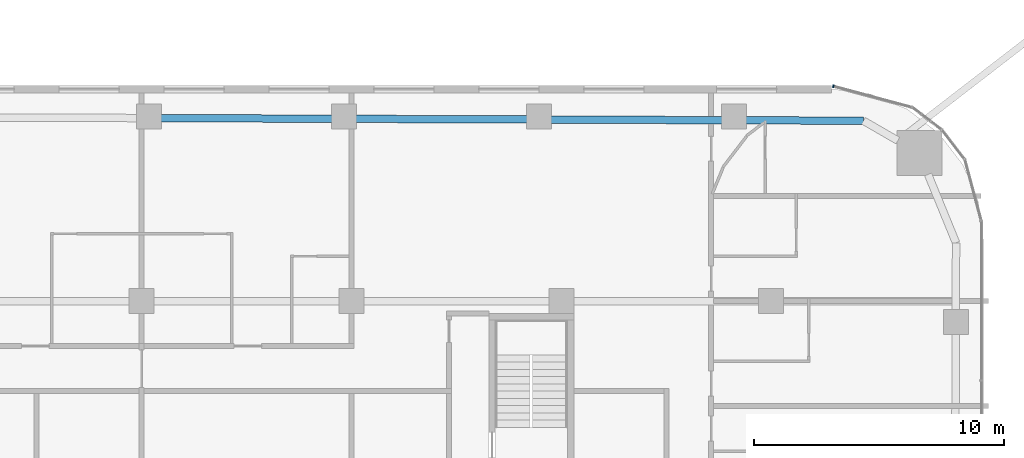
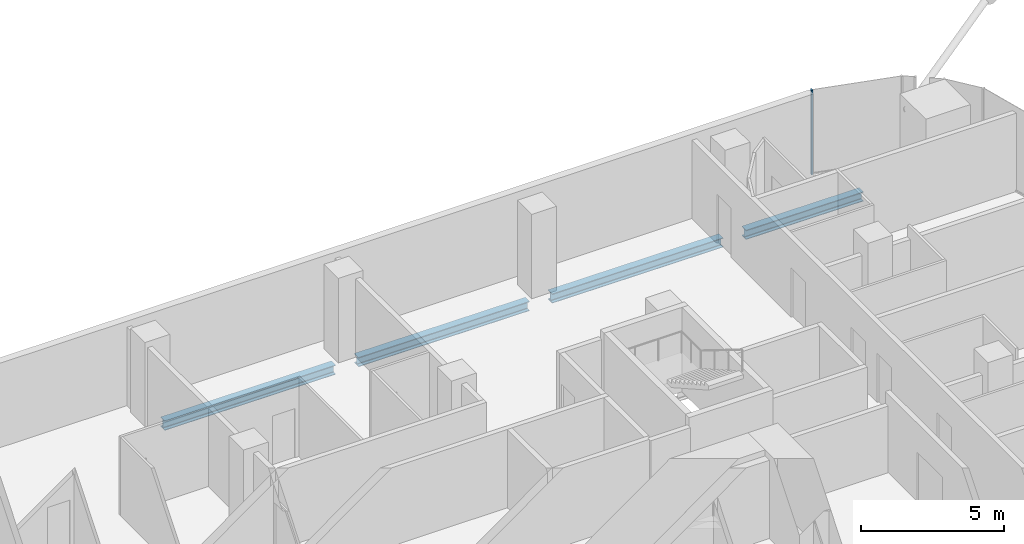
# One storey, part 13 of 34: 4 beams, 1 member, 1 element without a shape of its own.
"""IFC4 building model written with IfcOpenShell, lengths in metres."""

from ifc_helpers import new_model, si_unit, direction, frame, origin, origin_2d, place, context, subcontext, project, spatial, rectangle, i_section, extrude, material, layer, layer_set, material_profile, profile_set, type_object, element, aggregate, save


model = new_model("IFC4")

# Units and contexts
model_context = context("Model", 3, precision=1e-05, world=origin(), true_north=direction((0.0, 1.0)))
body_context = subcontext(model_context, "Body", "Model", "MODEL_VIEW")
ifc_project = project(units=[si_unit("LENGTHUNIT", "METRE"), si_unit("AREAUNIT", "SQUARE_METRE"), si_unit("VOLUMEUNIT", "CUBIC_METRE"), si_unit("PLANEANGLEUNIT", "RADIAN"), si_unit("MASSUNIT", "GRAM", prefix="KILO")], contexts=[model_context])

# Site, building, storey
site_placement = place(None, origin())
site = spatial("IfcSite", under=ifc_project, at=site_placement, CompositionType="ELEMENT")
building_placement = place(site_placement, origin())
building = spatial("IfcBuilding", under=site, at=building_placement, Name="Marenta Gate Hotel Tower", CompositionType="ELEMENT")
storey_placement = place(building_placement, frame((0.0, 0.0, 47.300048828125)))
storey = spatial("IfcBuildingStorey", under=building, at=storey_placement, Name="L09", CompositionType="ELEMENT", Elevation=47.300048828125)

# Beams
ifc_material_1 = material(Name="Steel S355", Category="steel")
ifc_material_profile_1 = material_profile(ifc_material_1, i_section(OverallWidth=0.300048828125, OverallDepth=0.39990234375, WebThickness=0.013427734375, FlangeThickness=0.02392578125, FilletRadius=0.027099609375, at=origin_2d()), Name="HEB 400")
ifc_profile_set_1 = profile_set([ifc_material_profile_1], Name="Steel S355")
beam_type = type_object("IfcBeamType", Name="Edge beam HEB 400", PredefinedType="SPANDREL", material=ifc_profile_set_1)
for number, where, z_axis, x_axis, name in (
    (1, (-3.44140625, 32.52587890625, -0.4599609375), (0.999993195747, -0.003688964684, 0.0), (0.003688964684, 0.999993195747, 0.0), "L09-EB-16"),
    (2, (4.361328125, 32.4970703125, -0.4599609375), (0.999993064268, -0.003724435008, 0.0), (0.003724435008, 0.999993064268, 0.0), "L09-EB-17"),
    (3, (12.1640625, 32.468017578125, -0.4599609375), (0.999993064268, -0.003724435008, 0.0), (0.003724435008, 0.999993064268, 0.0), "L09-EB-18"),
):
    element("IfcBeam", number, at=place(storey_placement, frame(where, z_axis=z_axis, x_axis=x_axis)), inside=storey, type_object=beam_type, Name=name, PredefinedType="SPANDREL", context=body_context, shape_type="SweptSolid", body=[
        extrude(i_section(OverallWidth=0.300048828125, OverallDepth=0.39990234375, WebThickness=0.013427734375, FlangeThickness=0.02392578125, FilletRadius=0.027099609375, at=origin_2d()), origin(), (0.0, 0.0, 1.0), 6.8828125),
    ])
beam_placement = place(storey_placement, frame((19.966796875, 32.43896484375, -0.4599609375), z_axis=(0.999993080272, -0.003720135464, 0.0), x_axis=(0.003720135464, 0.999993080272, 0.0)))
element("IfcBeam", 4, at=beam_placement, inside=storey, type_object=beam_type, Name="L09-EB-19", PredefinedType="SPANDREL", context=body_context, shape_type="SweptSolid", body=[
    extrude(i_section(OverallWidth=0.300048828125, OverallDepth=0.39990234375, WebThickness=0.013427734375, FlangeThickness=0.02392578125, FilletRadius=0.027099609375, at=origin_2d()), origin(), (0.0, 0.0, 1.0), 4.72509765625),
])

# Curtain wall, member
ifc_material_2 = material(Name="Tinted insulated glass in bronze anodised frame", Category="glass")
ifc_layer = layer(ifc_material_2, 0.1201171875)
ifc_layer_set = layer_set([ifc_layer], Name="Tinted insulated glass in bronze anodised frame")
curtain_wall_type = type_object("IfcCurtainWallType", Name="Tower unitised curtain wall CW1", PredefinedType="NOTDEFINED", material=ifc_layer_set)
curtain_wall_placement = place(storey_placement, origin())
curtain_wall = element("IfcCurtainWall", 5, at=curtain_wall_placement, inside=storey, type_object=curtain_wall_type, Name="CW1 run G24", PredefinedType="NOTDEFINED")
ifc_material_3 = material(Name="Bronze anodised aluminium", Category="aluminium")
ifc_material_profile_2 = material_profile(ifc_material_3, rectangle(XDim=0.1201171875, YDim=0.06005859375, at=origin_2d()), Name="Mullion CW1 60x120 bronze anodised aluminium")
ifc_profile_set_2 = profile_set([ifc_material_profile_2], Name="Bronze anodised aluminium")
member_type = type_object("IfcMemberType", Name="Mullion CW1 60x120 bronze anodised aluminium", PredefinedType="MULLION", material=ifc_profile_set_2)
member_placement = place(storey_placement, frame((23.485595703125, 33.80322265625, 0.0), z_axis=(0.0, 0.0, 1.0), x_axis=(-0.258807310344, -0.965928970532, 0.0)))
member = element("IfcMember", 6, at=member_placement, type_object=member_type, Name="CW1 mullion 2", PredefinedType="MULLION", context=body_context, shape_type="SweptSolid", body=[
    extrude(rectangle(XDim=0.1201171875, YDim=0.06005859375, at=origin_2d()), origin(), (0.0, 0.0, 1.0), 3.599853515625),
])
aggregate(curtain_wall, [member])

save(model, "model.ifc")
